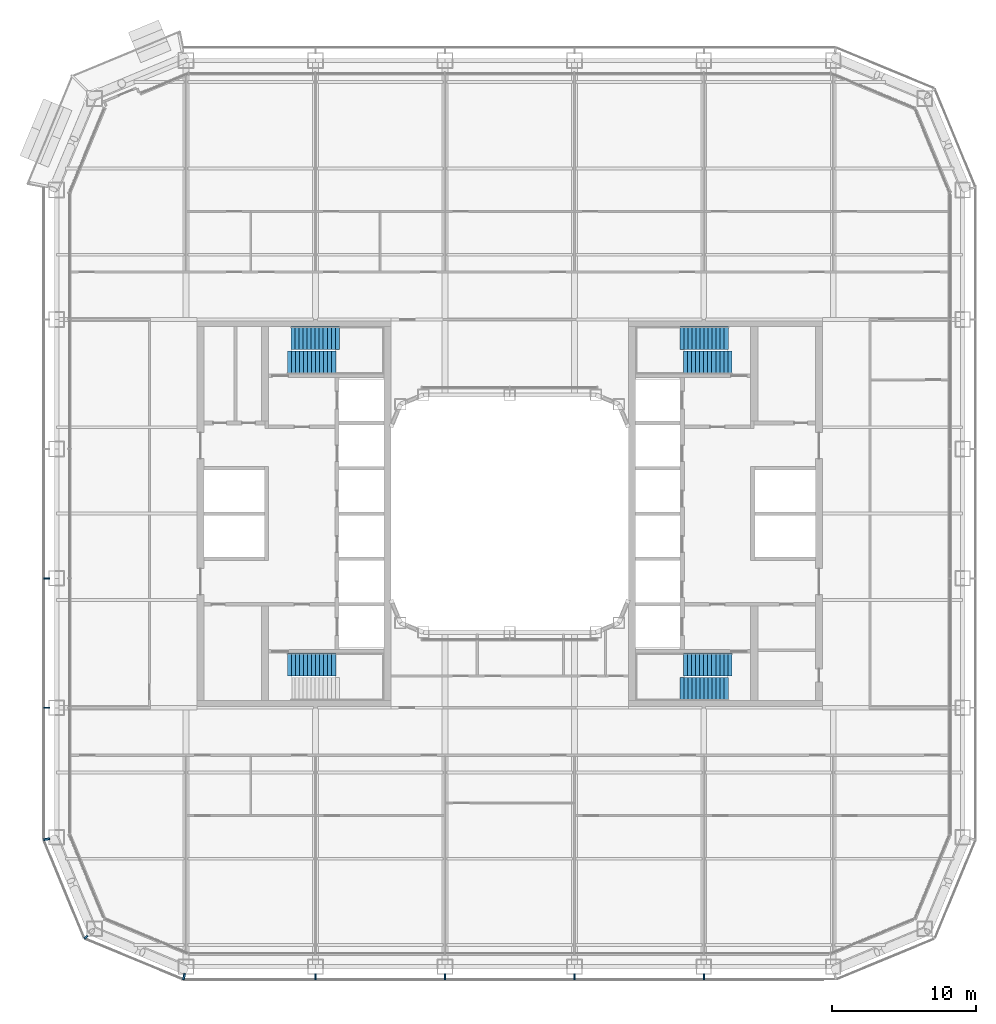
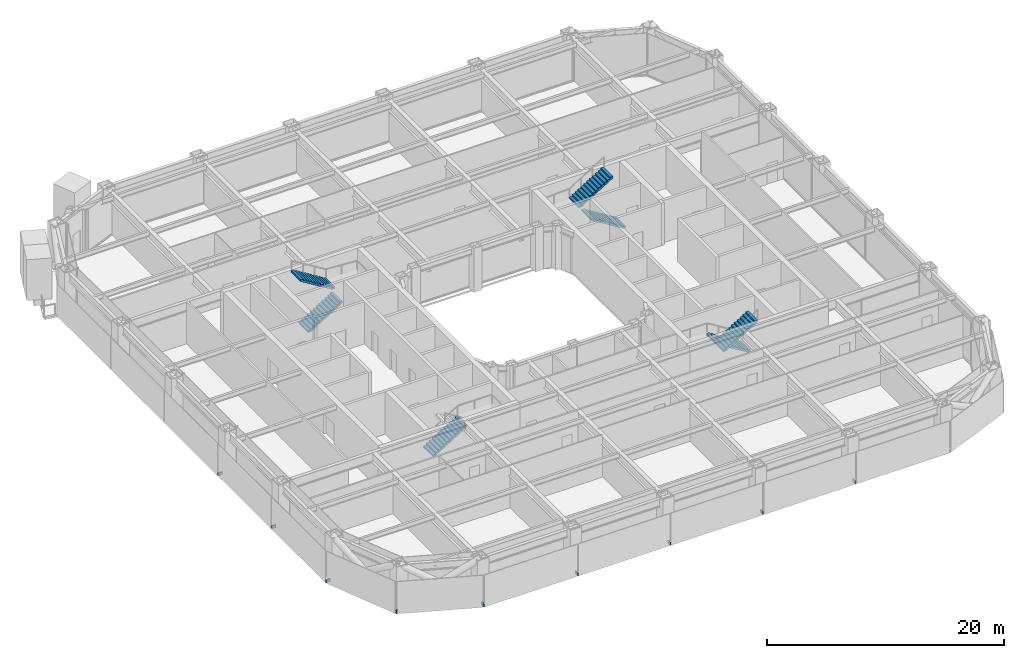
# One storey, part 17 of 29: 9 discrete accessories, 7 stair flights, 4 elements without a shape of their own.
"""IFC4 building model written with IfcOpenShell, lengths in metres."""

from ifc_helpers import new_model, si_unit, direction, frame, origin, origin_2d, place, context, subcontext, project, spatial, polyline, rectangle, outline, extrude, material, type_object, element, aggregate, save


model = new_model("IFC4")

# Units and contexts
model_context = context("Model", 3, precision=1e-05, world=origin(), true_north=direction((0.0, 1.0)))
body_context = subcontext(model_context, "Body", "Model", "MODEL_VIEW")
ifc_project = project(units=[si_unit("LENGTHUNIT", "METRE"), si_unit("AREAUNIT", "SQUARE_METRE"), si_unit("VOLUMEUNIT", "CUBIC_METRE"), si_unit("PLANEANGLEUNIT", "RADIAN"), si_unit("MASSUNIT", "GRAM", prefix="KILO")], contexts=[model_context])

# Site, building, storey
site_placement = place(None, origin())
site = spatial("IfcSite", under=ifc_project, at=site_placement, CompositionType="ELEMENT")
building_placement = place(site_placement, origin())
building = spatial("IfcBuilding", under=site, at=building_placement, Name="Siwar Civic Tower", CompositionType="ELEMENT")
storey_placement = place(building_placement, frame((0.0, 0.0, 49.199951171875)))
storey = spatial("IfcBuildingStorey", under=building, at=storey_placement, Name="L10", CompositionType="ELEMENT", Elevation=49.199951171875)

# Stair, stair flights
ifc_material_1 = material(Name="Concrete C40/50", Category="concrete")
stair_type = type_object("IfcStairType", Name="CORE-STAIR", PredefinedType="TWO_STRAIGHT_RUN_STAIR", material=ifc_material_1)
stair_1_placement = place(storey_placement, origin())
stair_1 = element("IfcStair", 1, at=stair_1_placement, inside=storey, type_object=stair_type, Name="Exit stair ST1", PredefinedType="TWO_STRAIGHT_RUN_STAIR")
ifc_material_2 = material(Name="Concrete C40/50", Category="concrete")
stair_flight_type = type_object("IfcStairFlightType", Name="CORE-STAIR-FLIGHT", PredefinedType="STRAIGHT", material=ifc_material_2)
stair_flight_1_placement = place(storey_placement, frame((-15.449951171875, 10.5, 0.0), z_axis=(0.0, 0.0, 1.0), x_axis=(1.0, 0.0, 0.0)))
stair_flight_1 = element("IfcStairFlight", 2, at=stair_flight_1_placement, type_object=stair_flight_type, Name="ST1 flight 1", NumberOfRisers=13, NumberOfTreads=12, PredefinedType="STRAIGHT", RiserHeight=0.173076923, TreadLength=0.28, context=body_context, shape_type="SweptSolid", body=[
    extrude(outline(polyline([(0.0, 0.0), (0.0, 0.173095703125), (0.280029296875, 0.173095703125), (0.280029296875, 0.34619140625), (0.56005859375, 0.34619140625), (0.56005859375, 0.519287109375), (0.840087890625, 0.519287109375), (0.840087890625, 0.6923828125), (1.1201171875, 0.6923828125), (1.1201171875, 0.865478515625), (1.39990234375, 0.865478515625), (1.39990234375, 1.03857421875), (1.679931640625, 1.03857421875), (1.679931640625, 1.21142578125), (1.9599609375, 1.21142578125), (1.9599609375, 1.384521484375), (2.239990234375, 1.384521484375), (2.239990234375, 1.5576171875), (2.52001953125, 1.5576171875), (2.52001953125, 1.730712890625), (2.800048828125, 1.730712890625), (2.800048828125, 1.90380859375), (3.080078125, 1.90380859375), (3.080078125, 2.076904296875), (3.360107421875, 2.076904296875), (3.360107421875, 2.25), (3.360107421875, 1.900634765625), (0.28515625, 0.0), (0.0, 0.0)])), frame((0.0, 0.800048828125, 0.0), z_axis=(0.0, -1.0, 0.0), x_axis=(1.0, 0.0, 0.0)), (0.0, 0.0, 1.0), 1.60009765625),
])
stair_flight_2_placement = place(storey_placement, frame((-11.840087890625, 12.199951171875, 2.25), z_axis=(0.0, 0.0, 1.0), x_axis=(-1.0, 0.0, 0.0)))
stair_flight_2 = element("IfcStairFlight", 3, at=stair_flight_2_placement, type_object=stair_flight_type, Name="ST1 flight 2", NumberOfRisers=13, NumberOfTreads=12, PredefinedType="STRAIGHT", RiserHeight=0.173076923, TreadLength=0.28, context=body_context, shape_type="SweptSolid", body=[
    extrude(outline(polyline([(0.0, 0.0), (0.0, 0.173095703125), (0.280029296875, 0.173095703125), (0.280029296875, 0.34619140625), (0.56005859375, 0.34619140625), (0.56005859375, 0.519287109375), (0.840087890625, 0.519287109375), (0.840087890625, 0.6923828125), (1.1201171875, 0.6923828125), (1.1201171875, 0.865478515625), (1.39990234375, 0.865478515625), (1.39990234375, 1.03857421875), (1.679931640625, 1.03857421875), (1.679931640625, 1.21142578125), (1.9599609375, 1.21142578125), (1.9599609375, 1.384521484375), (2.239990234375, 1.384521484375), (2.239990234375, 1.5576171875), (2.52001953125, 1.5576171875), (2.52001953125, 1.730712890625), (2.800048828125, 1.730712890625), (2.800048828125, 1.90380859375), (3.080078125, 1.90380859375), (3.080078125, 2.076904296875), (3.360107421875, 2.076904296875), (3.360107421875, 2.25), (3.360107421875, 1.900634765625), (0.28515625, 0.0), (0.0, 0.0)])), frame((0.0, 0.800048828125, 0.0), z_axis=(0.0, -1.0, 0.0), x_axis=(1.0, 0.0, 0.0)), (0.0, 0.0, 1.0), 1.60009765625),
])
aggregate(stair_1, [stair_flight_1, stair_flight_2])

# Stair, stair flight
stair_2_placement = place(storey_placement, origin())
stair_2 = element("IfcStair", 4, at=stair_2_placement, inside=storey, type_object=stair_type, Name="Exit stair ST2", PredefinedType="TWO_STRAIGHT_RUN_STAIR")
stair_flight_3_placement = place(storey_placement, frame((-15.449951171875, -10.5, 0.0), z_axis=(0.0, 0.0, 1.0), x_axis=(1.0, 0.0, 0.0)))
stair_flight_3 = element("IfcStairFlight", 5, at=stair_flight_3_placement, type_object=stair_flight_type, Name="ST2 flight 1", NumberOfRisers=13, NumberOfTreads=12, PredefinedType="STRAIGHT", RiserHeight=0.173076923, TreadLength=0.28, context=body_context, shape_type="SweptSolid", body=[
    extrude(outline(polyline([(0.0, 0.0), (0.0, 0.173095703125), (0.280029296875, 0.173095703125), (0.280029296875, 0.34619140625), (0.56005859375, 0.34619140625), (0.56005859375, 0.519287109375), (0.840087890625, 0.519287109375), (0.840087890625, 0.6923828125), (1.1201171875, 0.6923828125), (1.1201171875, 0.865478515625), (1.39990234375, 0.865478515625), (1.39990234375, 1.03857421875), (1.679931640625, 1.03857421875), (1.679931640625, 1.21142578125), (1.9599609375, 1.21142578125), (1.9599609375, 1.384521484375), (2.239990234375, 1.384521484375), (2.239990234375, 1.5576171875), (2.52001953125, 1.5576171875), (2.52001953125, 1.730712890625), (2.800048828125, 1.730712890625), (2.800048828125, 1.90380859375), (3.080078125, 1.90380859375), (3.080078125, 2.076904296875), (3.360107421875, 2.076904296875), (3.360107421875, 2.25), (3.360107421875, 1.900634765625), (0.28515625, 0.0), (0.0, 0.0)])), frame((0.0, 0.800048828125, 0.0), z_axis=(0.0, -1.0, 0.0), x_axis=(1.0, 0.0, 0.0)), (0.0, 0.0, 1.0), 1.60009765625),
])
aggregate(stair_2, [stair_flight_3])

# Stair, stair flights
stair_3_placement = place(storey_placement, origin())
stair_3 = element("IfcStair", 6, at=stair_3_placement, inside=storey, type_object=stair_type, Name="Exit stair ST3", PredefinedType="TWO_STRAIGHT_RUN_STAIR")
stair_flight_4_placement = place(storey_placement, frame((15.449951171875, 10.5, 0.0), z_axis=(0.0, 0.0, 1.0), x_axis=(-1.0, 0.0, 0.0)))
stair_flight_4 = element("IfcStairFlight", 7, at=stair_flight_4_placement, type_object=stair_flight_type, Name="ST3 flight 1", NumberOfRisers=13, NumberOfTreads=12, PredefinedType="STRAIGHT", RiserHeight=0.173076923, TreadLength=0.28, context=body_context, shape_type="SweptSolid", body=[
    extrude(outline(polyline([(0.0, 0.0), (0.0, 0.173095703125), (0.280029296875, 0.173095703125), (0.280029296875, 0.34619140625), (0.56005859375, 0.34619140625), (0.56005859375, 0.519287109375), (0.840087890625, 0.519287109375), (0.840087890625, 0.6923828125), (1.1201171875, 0.6923828125), (1.1201171875, 0.865478515625), (1.39990234375, 0.865478515625), (1.39990234375, 1.03857421875), (1.679931640625, 1.03857421875), (1.679931640625, 1.21142578125), (1.9599609375, 1.21142578125), (1.9599609375, 1.384521484375), (2.239990234375, 1.384521484375), (2.239990234375, 1.5576171875), (2.52001953125, 1.5576171875), (2.52001953125, 1.730712890625), (2.800048828125, 1.730712890625), (2.800048828125, 1.90380859375), (3.080078125, 1.90380859375), (3.080078125, 2.076904296875), (3.360107421875, 2.076904296875), (3.360107421875, 2.25), (3.360107421875, 1.900634765625), (0.28515625, 0.0), (0.0, 0.0)])), frame((0.0, 0.800048828125, 0.0), z_axis=(0.0, -1.0, 0.0), x_axis=(1.0, 0.0, 0.0)), (0.0, 0.0, 1.0), 1.60009765625),
])
stair_flight_5_placement = place(storey_placement, frame((11.840087890625, 12.199951171875, 2.25), z_axis=(0.0, 0.0, 1.0), x_axis=(1.0, 0.0, 0.0)))
stair_flight_5 = element("IfcStairFlight", 8, at=stair_flight_5_placement, type_object=stair_flight_type, Name="ST3 flight 2", NumberOfRisers=13, NumberOfTreads=12, PredefinedType="STRAIGHT", RiserHeight=0.173076923, TreadLength=0.28, context=body_context, shape_type="SweptSolid", body=[
    extrude(outline(polyline([(0.0, 0.0), (0.0, 0.173095703125), (0.280029296875, 0.173095703125), (0.280029296875, 0.34619140625), (0.56005859375, 0.34619140625), (0.56005859375, 0.519287109375), (0.840087890625, 0.519287109375), (0.840087890625, 0.6923828125), (1.1201171875, 0.6923828125), (1.1201171875, 0.865478515625), (1.39990234375, 0.865478515625), (1.39990234375, 1.03857421875), (1.679931640625, 1.03857421875), (1.679931640625, 1.21142578125), (1.9599609375, 1.21142578125), (1.9599609375, 1.384521484375), (2.239990234375, 1.384521484375), (2.239990234375, 1.5576171875), (2.52001953125, 1.5576171875), (2.52001953125, 1.730712890625), (2.800048828125, 1.730712890625), (2.800048828125, 1.90380859375), (3.080078125, 1.90380859375), (3.080078125, 2.076904296875), (3.360107421875, 2.076904296875), (3.360107421875, 2.25), (3.360107421875, 1.900634765625), (0.28515625, 0.0), (0.0, 0.0)])), frame((0.0, 0.800048828125, 0.0), z_axis=(0.0, -1.0, 0.0), x_axis=(1.0, 0.0, 0.0)), (0.0, 0.0, 1.0), 1.60009765625),
])
aggregate(stair_3, [stair_flight_4, stair_flight_5])

stair_4_placement = place(storey_placement, origin())
stair_4 = element("IfcStair", 9, at=stair_4_placement, inside=storey, type_object=stair_type, Name="Exit stair ST4", PredefinedType="TWO_STRAIGHT_RUN_STAIR")
stair_flight_6_placement = place(storey_placement, frame((15.449951171875, -10.5, 0.0), z_axis=(0.0, 0.0, 1.0), x_axis=(-1.0, 0.0, 0.0)))
stair_flight_6 = element("IfcStairFlight", 10, at=stair_flight_6_placement, type_object=stair_flight_type, Name="ST4 flight 1", NumberOfRisers=13, NumberOfTreads=12, PredefinedType="STRAIGHT", RiserHeight=0.173076923, TreadLength=0.28, context=body_context, shape_type="SweptSolid", body=[
    extrude(outline(polyline([(0.0, 0.0), (0.0, 0.173095703125), (0.280029296875, 0.173095703125), (0.280029296875, 0.34619140625), (0.56005859375, 0.34619140625), (0.56005859375, 0.519287109375), (0.840087890625, 0.519287109375), (0.840087890625, 0.6923828125), (1.1201171875, 0.6923828125), (1.1201171875, 0.865478515625), (1.39990234375, 0.865478515625), (1.39990234375, 1.03857421875), (1.679931640625, 1.03857421875), (1.679931640625, 1.21142578125), (1.9599609375, 1.21142578125), (1.9599609375, 1.384521484375), (2.239990234375, 1.384521484375), (2.239990234375, 1.5576171875), (2.52001953125, 1.5576171875), (2.52001953125, 1.730712890625), (2.800048828125, 1.730712890625), (2.800048828125, 1.90380859375), (3.080078125, 1.90380859375), (3.080078125, 2.076904296875), (3.360107421875, 2.076904296875), (3.360107421875, 2.25), (3.360107421875, 1.900634765625), (0.28515625, 0.0), (0.0, 0.0)])), frame((0.0, 0.800048828125, 0.0), z_axis=(0.0, -1.0, 0.0), x_axis=(1.0, 0.0, 0.0)), (0.0, 0.0, 1.0), 1.60009765625),
])
stair_flight_7_placement = place(storey_placement, frame((11.840087890625, -12.199951171875, 2.25), z_axis=(0.0, 0.0, 1.0), x_axis=(1.0, 0.0, 0.0)))
stair_flight_7 = element("IfcStairFlight", 11, at=stair_flight_7_placement, type_object=stair_flight_type, Name="ST4 flight 2", NumberOfRisers=13, NumberOfTreads=12, PredefinedType="STRAIGHT", RiserHeight=0.173076923, TreadLength=0.28, context=body_context, shape_type="SweptSolid", body=[
    extrude(outline(polyline([(0.0, 0.0), (0.0, 0.173095703125), (0.280029296875, 0.173095703125), (0.280029296875, 0.34619140625), (0.56005859375, 0.34619140625), (0.56005859375, 0.519287109375), (0.840087890625, 0.519287109375), (0.840087890625, 0.6923828125), (1.1201171875, 0.6923828125), (1.1201171875, 0.865478515625), (1.39990234375, 0.865478515625), (1.39990234375, 1.03857421875), (1.679931640625, 1.03857421875), (1.679931640625, 1.21142578125), (1.9599609375, 1.21142578125), (1.9599609375, 1.384521484375), (2.239990234375, 1.384521484375), (2.239990234375, 1.5576171875), (2.52001953125, 1.5576171875), (2.52001953125, 1.730712890625), (2.800048828125, 1.730712890625), (2.800048828125, 1.90380859375), (3.080078125, 1.90380859375), (3.080078125, 2.076904296875), (3.360107421875, 2.076904296875), (3.360107421875, 2.25), (3.360107421875, 1.900634765625), (0.28515625, 0.0), (0.0, 0.0)])), frame((0.0, 0.800048828125, 0.0), z_axis=(0.0, -1.0, 0.0), x_axis=(1.0, 0.0, 0.0)), (0.0, 0.0, 1.0), 1.60009765625),
])
aggregate(stair_4, [stair_flight_6, stair_flight_7])

# Discrete accessories
ifc_material_3 = material(Name="Stainless steel 316", Category="steel")
discrete_accessory_type = type_object("IfcDiscreteAccessoryType", Name="ENV-BRACKET", PredefinedType="BRACKET", material=ifc_material_3)
for number, where, z_axis, x_axis, name in (
    (12, (-13.5, -32.18994140625, -0.14990234375), (0.0, 0.0, 1.0), (0.0, -1.0, 0.0), "Bracket outer skin joint S-01"),
    (13, (-4.5, -32.18994140625, -0.14990234375), (0.0, 0.0, 1.0), (0.0, -1.0, 0.0), "Bracket outer skin joint S-02"),
    (14, (4.5, -32.18994140625, -0.14990234375), (0.0, 0.0, 1.0), (0.0, -1.0, 0.0), "Bracket outer skin joint S-03"),
    (15, (13.5, -32.18994140625, -0.14990234375), (0.0, 0.0, 1.0), (0.0, -1.0, 0.0), "Bracket outer skin joint S-04"),
):
    element("IfcDiscreteAccessory", number, at=place(storey_placement, frame(where, z_axis=z_axis, x_axis=x_axis)), inside=storey, type_object=discrete_accessory_type, Name=name, PredefinedType="BRACKET", context=body_context, shape_type="SweptSolid", body=[
        extrude(rectangle(XDim=0.419921875, YDim=0.10009765625, at=origin_2d()), origin(), (0.0, 0.0, 1.0), 0.300048828125),
    ])
for number, where, z_axis, x_axis, name in (
    (16, (-22.63720703125, -32.190185546875, -0.14990234375), (0.0, 0.0, 1.0), (-0.195090322016, -0.980785280403, 0.0), "Bracket outer skin joint V00"),
    (17, (-32.190185546875, -22.63720703125, -0.14990234375), (0.0, 0.0, 1.0), (-0.980785280403, -0.195090322016, 0.0), "Bracket outer skin joint V10"),
):
    element("IfcDiscreteAccessory", number, at=place(storey_placement, frame(where, z_axis=z_axis, x_axis=x_axis)), inside=storey, type_object=discrete_accessory_type, Name=name, PredefinedType="BRACKET", context=body_context, shape_type="SweptSolid", body=[
        extrude(rectangle(XDim=0.427734375, YDim=0.13720703125, at=origin_2d()), origin(), (0.0, 0.0, 1.0), 0.300048828125),
    ])
discrete_accessory_placement = place(storey_placement, frame((-29.451416015625, -29.451416015625, -0.14990234375), z_axis=(0.0, 0.0, 1.0), x_axis=(-0.707106781187, -0.707106781187, 0.0)))
element("IfcDiscreteAccessory", 18, at=discrete_accessory_placement, inside=storey, type_object=discrete_accessory_type, Name="Bracket outer skin joint V11", PredefinedType="BRACKET", context=body_context, shape_type="SweptSolid", body=[
    extrude(rectangle(XDim=0.287109375, YDim=0.12939453125, at=origin_2d()), origin(), (0.0, 0.0, 1.0), 0.300048828125),
])
for number, where, z_axis, x_axis, name in (
    (19, (-32.18994140625, -4.5, -0.14990234375), (0.0, 0.0, 1.0), (-1.0, 0.0, 0.0), "Bracket outer skin joint W-03"),
    (20, (-32.18994140625, -13.5, -0.14990234375), (0.0, 0.0, 1.0), (-1.0, 0.0, 0.0), "Bracket outer skin joint W-04"),
):
    element("IfcDiscreteAccessory", number, at=place(storey_placement, frame(where, z_axis=z_axis, x_axis=x_axis)), inside=storey, type_object=discrete_accessory_type, Name=name, PredefinedType="BRACKET", context=body_context, shape_type="SweptSolid", body=[
        extrude(rectangle(XDim=0.419921875, YDim=0.10009765625, at=origin_2d()), origin(), (0.0, 0.0, 1.0), 0.300048828125),
    ])

save(model, "model.ifc")
